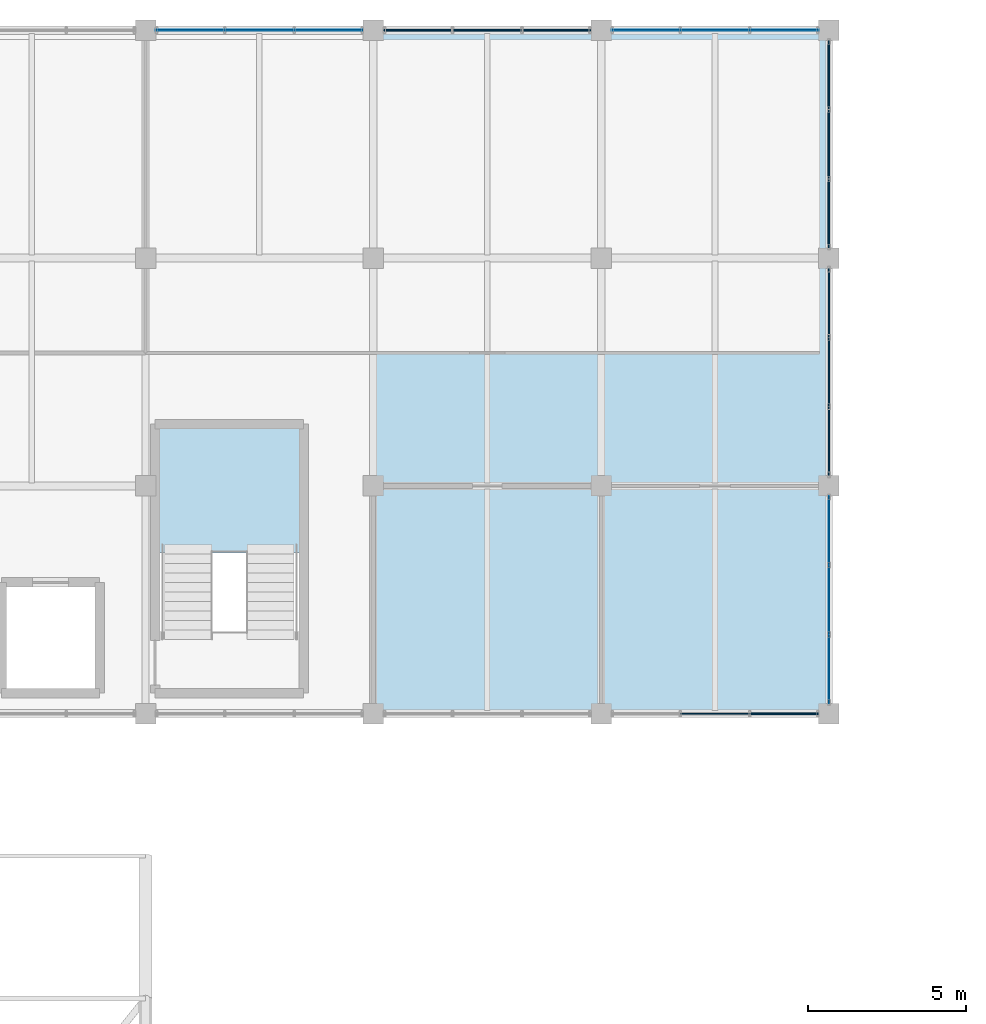
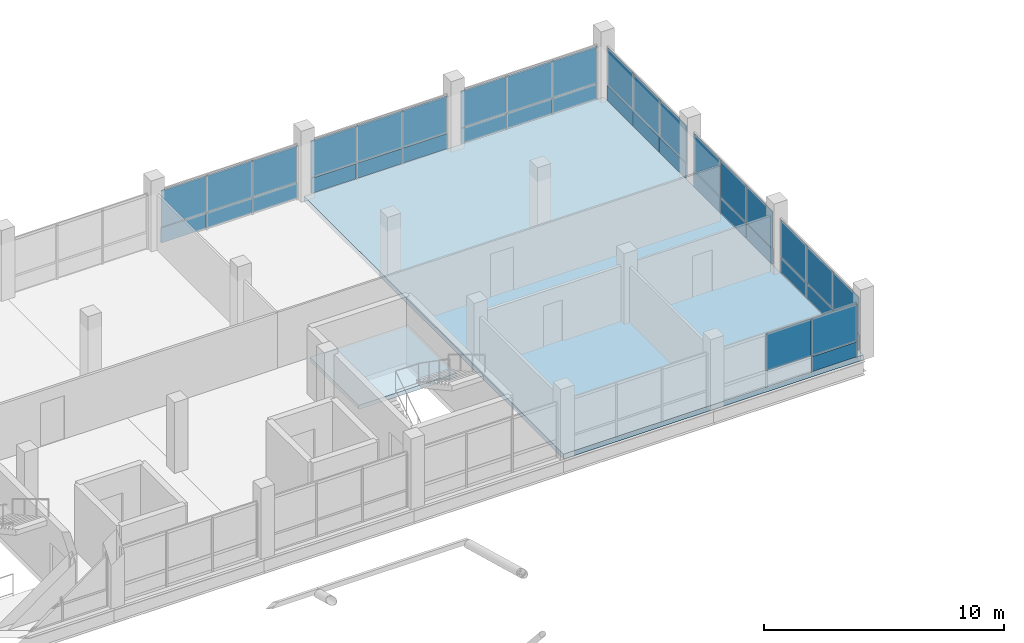
# One storey, part 52 of 96: 39 plates, 2 slabs, 8 elements without a shape of their own.
"""IFC4 building model written with IfcOpenShell, lengths in metres."""

from ifc_helpers import new_model, si_unit, direction, frame, origin, origin_2d, place, context, subcontext, project, spatial, polyline, rectangle, outline, extrude, material, layer, layer_set, type_object, element, aggregate, save


model = new_model("IFC4")

# Units and contexts
model_context = context("Model", 3, precision=1e-05, world=origin(), true_north=direction((0.0, 1.0)))
body_context = subcontext(model_context, "Body", "Model", "MODEL_VIEW")
ifc_project = project(units=[si_unit("LENGTHUNIT", "METRE"), si_unit("AREAUNIT", "SQUARE_METRE"), si_unit("VOLUMEUNIT", "CUBIC_METRE"), si_unit("PLANEANGLEUNIT", "RADIAN"), si_unit("MASSUNIT", "GRAM", prefix="KILO")], contexts=[model_context])

# Site, building, storey
site_placement = place(None, origin())
site = spatial("IfcSite", under=ifc_project, at=site_placement, CompositionType="ELEMENT")
building_placement = place(site_placement, origin())
building = spatial("IfcBuilding", under=site, at=building_placement, Name="Yarey Park Central Fire Station", CompositionType="ELEMENT")
storey_placement = place(building_placement, frame((0.0, 0.0, 14.39990234375)))
storey = spatial("IfcBuildingStorey", under=building, at=storey_placement, Name="L04", CompositionType="ELEMENT", Elevation=14.39990234375)

# Curtain wall, plates
ifc_material_1 = material(Name="Anodized Aluminium Frame", Category="aluminium")
curtain_wall_type = type_object("IfcCurtainWallType", Name="ENV_CW_HQ_L04", PredefinedType="NOTDEFINED", material=ifc_material_1)
curtain_wall_1_placement = place(storey_placement, origin())
curtain_wall_1 = element("IfcCurtainWall", 1, at=curtain_wall_1_placement, inside=storey, type_object=curtain_wall_type, Name="CW_L04_V4_N_4", PredefinedType="NOTDEFINED")
ifc_material_2 = material(Name="Insulated Aluminium Spandrel Panel", Category="aluminium")
ifc_layer_1 = layer(ifc_material_2, 0.055908203125)
ifc_layer_set_1 = layer_set([ifc_layer_1], Name="Insulated Aluminium Spandrel Panel")
plate_type_1 = type_object("IfcPlateType", Name="ENV_PNL_SPN_01", PredefinedType="CURTAIN_PANEL", material=ifc_layer_set_1)
plate_1_placement = place(storey_placement, frame((142.59326171875, 115.199951171875, 0.04248046875), z_axis=(0.0, 0.0, 1.0), x_axis=(-1.0, 0.0, 0.0)))
plate_1 = element("IfcPlate", 2, at=plate_1_placement, type_object=plate_type_1, Name="CW_L04_V4_N_4_PNL01", PredefinedType="CURTAIN_PANEL", context=body_context, shape_type="SweptSolid", body=[
    extrude(rectangle(XDim=2.1533203125, YDim=0.055908203125, at=origin_2d()), origin(), (0.0, 0.0, 1.0), 0.764892578125),
])
plate_2_placement = place(storey_placement, frame((140.39990234375, 115.199951171875, 0.04248046875), z_axis=(0.0, 0.0, 1.0), x_axis=(-1.0, 0.0, 0.0)))
plate_2 = element("IfcPlate", 3, at=plate_2_placement, type_object=plate_type_1, Name="CW_L04_V4_N_4_PNL03", PredefinedType="CURTAIN_PANEL", context=body_context, shape_type="SweptSolid", body=[
    extrude(rectangle(XDim=2.1533203125, YDim=0.055908203125, at=origin_2d()), origin(), (0.0, 0.0, 1.0), 0.764892578125),
])
plate_3_placement = place(storey_placement, frame((138.206787109375, 115.199951171875, 0.04248046875), z_axis=(0.0, 0.0, 1.0), x_axis=(-1.0, 0.0, 0.0)))
plate_3 = element("IfcPlate", 4, at=plate_3_placement, type_object=plate_type_1, Name="CW_L04_V4_N_4_PNL05", PredefinedType="CURTAIN_PANEL", context=body_context, shape_type="SweptSolid", body=[
    extrude(rectangle(XDim=2.1533203125, YDim=0.055908203125, at=origin_2d()), origin(), (0.0, 0.0, 1.0), 0.764892578125),
])

curtain_wall_2_placement = place(storey_placement, origin())
curtain_wall_2 = element("IfcCurtainWall", 5, at=curtain_wall_2_placement, inside=storey, type_object=curtain_wall_type, Name="CW_L04_V4_N_6", PredefinedType="NOTDEFINED")
plate_4_placement = place(storey_placement, frame((156.993408203125, 115.199951171875, 0.04248046875), z_axis=(0.0, 0.0, 1.0), x_axis=(-1.0, 0.0, 0.0)))
plate_4 = element("IfcPlate", 6, at=plate_4_placement, type_object=plate_type_1, Name="CW_L04_V4_N_6_PNL01", PredefinedType="CURTAIN_PANEL", context=body_context, shape_type="SweptSolid", body=[
    extrude(rectangle(XDim=2.1533203125, YDim=0.055908203125, at=origin_2d()), origin(), (0.0, 0.0, 1.0), 0.764892578125),
])
plate_5_placement = place(storey_placement, frame((154.800048828125, 115.199951171875, 0.04248046875), z_axis=(0.0, 0.0, 1.0), x_axis=(-1.0, 0.0, 0.0)))
plate_5 = element("IfcPlate", 7, at=plate_5_placement, type_object=plate_type_1, Name="CW_L04_V4_N_6_PNL03", PredefinedType="CURTAIN_PANEL", context=body_context, shape_type="SweptSolid", body=[
    extrude(rectangle(XDim=2.1533203125, YDim=0.055908203125, at=origin_2d()), origin(), (0.0, 0.0, 1.0), 0.764892578125),
])
plate_6_placement = place(storey_placement, frame((152.606689453125, 115.199951171875, 0.04248046875), z_axis=(0.0, 0.0, 1.0), x_axis=(-1.0, 0.0, 0.0)))
plate_6 = element("IfcPlate", 8, at=plate_6_placement, type_object=plate_type_1, Name="CW_L04_V4_N_6_PNL05", PredefinedType="CURTAIN_PANEL", context=body_context, shape_type="SweptSolid", body=[
    extrude(rectangle(XDim=2.1533203125, YDim=0.055908203125, at=origin_2d()), origin(), (0.0, 0.0, 1.0), 0.764892578125),
])

curtain_wall_3_placement = place(storey_placement, origin())
curtain_wall_3 = element("IfcCurtainWall", 9, at=curtain_wall_3_placement, inside=storey, type_object=curtain_wall_type, Name="CW_L04_V4_E_93", PredefinedType="NOTDEFINED")
plate_7_placement = place(storey_placement, frame((158.39990234375, 95.006591796875, 0.04248046875), z_axis=(0.0, 0.0, 1.0), x_axis=(0.0, 1.0, 0.0)))
plate_7 = element("IfcPlate", 10, at=plate_7_placement, type_object=plate_type_1, Name="CW_L04_V4_E_93_PNL01", PredefinedType="CURTAIN_PANEL", context=body_context, shape_type="SweptSolid", body=[
    extrude(rectangle(XDim=2.1533203125, YDim=0.055908203125, at=origin_2d()), origin(), (0.0, 0.0, 1.0), 0.764892578125),
])
plate_8_placement = place(storey_placement, frame((158.39990234375, 97.199951171875, 0.04248046875), z_axis=(0.0, 0.0, 1.0), x_axis=(0.0, 1.0, 0.0)))
plate_8 = element("IfcPlate", 11, at=plate_8_placement, type_object=plate_type_1, Name="CW_L04_V4_E_93_PNL03", PredefinedType="CURTAIN_PANEL", context=body_context, shape_type="SweptSolid", body=[
    extrude(rectangle(XDim=2.1533203125, YDim=0.055908203125, at=origin_2d()), origin(), (0.0, 0.0, 1.0), 0.764892578125),
])
plate_9_placement = place(storey_placement, frame((158.39990234375, 99.393310546875, 0.04248046875), z_axis=(0.0, 0.0, 1.0), x_axis=(0.0, 1.0, 0.0)))
plate_9 = element("IfcPlate", 12, at=plate_9_placement, type_object=plate_type_1, Name="CW_L04_V4_E_93_PNL05", PredefinedType="CURTAIN_PANEL", context=body_context, shape_type="SweptSolid", body=[
    extrude(rectangle(XDim=2.1533203125, YDim=0.055908203125, at=origin_2d()), origin(), (0.0, 0.0, 1.0), 0.764892578125),
])

# Curtain wall, plate
curtain_wall_4_placement = place(storey_placement, origin())
curtain_wall_4 = element("IfcCurtainWall", 13, at=curtain_wall_4_placement, inside=storey, type_object=curtain_wall_type, Name="CW_L04_V4_S_6", PredefinedType="NOTDEFINED")
ifc_layer_2 = layer(ifc_material_2, 0.068115234375)
ifc_layer_set_2 = layer_set([ifc_layer_2], Name="Insulated Aluminium Spandrel Panel")
plate_type_2 = type_object("IfcPlateType", Name="ENV_PNL_SPN_02", PredefinedType="CURTAIN_PANEL", material=ifc_layer_set_2)
plate_10_placement = place(storey_placement, frame((156.993408203125, 93.60009765625, 0.04248046875), z_axis=(0.0, 0.0, 1.0), x_axis=(1.0, 0.0, 0.0)))
plate_10 = element("IfcPlate", 14, at=plate_10_placement, type_object=plate_type_2, Name="CW_L04_V4_S_6_PNL05", PredefinedType="CURTAIN_PANEL", context=body_context, shape_type="SweptSolid", body=[
    extrude(rectangle(XDim=2.1533203125, YDim=0.068115234375, at=origin_2d()), origin(), (0.0, 0.0, 1.0), 0.764892578125),
])

# Curtain wall, plates
curtain_wall_5_placement = place(storey_placement, origin())
curtain_wall_5 = element("IfcCurtainWall", 15, at=curtain_wall_5_placement, inside=storey, type_object=curtain_wall_type, Name="CW_L04_V4_E_100", PredefinedType="NOTDEFINED")
plate_11_placement = place(storey_placement, frame((158.39990234375, 102.206787109375, 0.04248046875), z_axis=(0.0, 0.0, 1.0), x_axis=(0.0, 1.0, 0.0)))
plate_11 = element("IfcPlate", 16, at=plate_11_placement, type_object=plate_type_2, Name="CW_L04_V4_E_100_PNL01", PredefinedType="CURTAIN_PANEL", context=body_context, shape_type="SweptSolid", body=[
    extrude(rectangle(XDim=2.1533203125, YDim=0.068115234375, at=origin_2d()), origin(), (0.0, 0.0, 1.0), 0.764892578125),
])
plate_12_placement = place(storey_placement, frame((158.39990234375, 104.39990234375, 0.04248046875), z_axis=(0.0, 0.0, 1.0), x_axis=(0.0, 1.0, 0.0)))
plate_12 = element("IfcPlate", 17, at=plate_12_placement, type_object=plate_type_2, Name="CW_L04_V4_E_100_PNL03", PredefinedType="CURTAIN_PANEL", context=body_context, shape_type="SweptSolid", body=[
    extrude(rectangle(XDim=2.1533203125, YDim=0.068115234375, at=origin_2d()), origin(), (0.0, 0.0, 1.0), 0.764892578125),
])
plate_13_placement = place(storey_placement, frame((158.39990234375, 106.59326171875, 0.04248046875), z_axis=(0.0, 0.0, 1.0), x_axis=(0.0, 1.0, 0.0)))
plate_13 = element("IfcPlate", 18, at=plate_13_placement, type_object=plate_type_2, Name="CW_L04_V4_E_100_PNL05", PredefinedType="CURTAIN_PANEL", context=body_context, shape_type="SweptSolid", body=[
    extrude(rectangle(XDim=2.1533203125, YDim=0.068115234375, at=origin_2d()), origin(), (0.0, 0.0, 1.0), 0.764892578125),
])

curtain_wall_6_placement = place(storey_placement, origin())
curtain_wall_6 = element("IfcCurtainWall", 19, at=curtain_wall_6_placement, inside=storey, type_object=curtain_wall_type, Name="CW_L04_V4_N_5", PredefinedType="NOTDEFINED")
ifc_layer_3 = layer(ifc_material_2, 0.077880859375)
ifc_layer_set_3 = layer_set([ifc_layer_3], Name="Insulated Aluminium Spandrel Panel")
plate_type_3 = type_object("IfcPlateType", Name="ENV_PNL_SPN_03", PredefinedType="CURTAIN_PANEL", material=ifc_layer_set_3)
plate_14_placement = place(storey_placement, frame((149.793212890625, 115.199951171875, 0.04248046875), z_axis=(0.0, 0.0, 1.0), x_axis=(-1.0, 0.0, 0.0)))
plate_14 = element("IfcPlate", 20, at=plate_14_placement, type_object=plate_type_3, Name="CW_L04_V4_N_5_PNL01", PredefinedType="CURTAIN_PANEL", context=body_context, shape_type="SweptSolid", body=[
    extrude(rectangle(XDim=2.1533203125, YDim=0.077880859375, at=origin_2d()), origin(), (0.0, 0.0, 1.0), 0.764892578125),
])
plate_15_placement = place(storey_placement, frame((147.60009765625, 115.199951171875, 0.04248046875), z_axis=(0.0, 0.0, 1.0), x_axis=(-1.0, 0.0, 0.0)))
plate_15 = element("IfcPlate", 21, at=plate_15_placement, type_object=plate_type_3, Name="CW_L04_V4_N_5_PNL03", PredefinedType="CURTAIN_PANEL", context=body_context, shape_type="SweptSolid", body=[
    extrude(rectangle(XDim=2.1533203125, YDim=0.077880859375, at=origin_2d()), origin(), (0.0, 0.0, 1.0), 0.764892578125),
])
plate_16_placement = place(storey_placement, frame((145.40673828125, 115.199951171875, 0.04248046875), z_axis=(0.0, 0.0, 1.0), x_axis=(-1.0, 0.0, 0.0)))
plate_16 = element("IfcPlate", 22, at=plate_16_placement, type_object=plate_type_3, Name="CW_L04_V4_N_5_PNL05", PredefinedType="CURTAIN_PANEL", context=body_context, shape_type="SweptSolid", body=[
    extrude(rectangle(XDim=2.1533203125, YDim=0.077880859375, at=origin_2d()), origin(), (0.0, 0.0, 1.0), 0.764892578125),
])

curtain_wall_7_placement = place(storey_placement, origin())
curtain_wall_7 = element("IfcCurtainWall", 23, at=curtain_wall_7_placement, inside=storey, type_object=curtain_wall_type, Name="CW_L04_V4_E_108", PredefinedType="NOTDEFINED")
plate_17_placement = place(storey_placement, frame((158.39990234375, 109.40673828125, 0.04248046875), z_axis=(0.0, 0.0, 1.0), x_axis=(0.0, 1.0, 0.0)))
plate_17 = element("IfcPlate", 24, at=plate_17_placement, type_object=plate_type_3, Name="CW_L04_V4_E_108_PNL01", PredefinedType="CURTAIN_PANEL", context=body_context, shape_type="SweptSolid", body=[
    extrude(rectangle(XDim=2.1533203125, YDim=0.077880859375, at=origin_2d()), origin(), (0.0, 0.0, 1.0), 0.764892578125),
])
plate_18_placement = place(storey_placement, frame((158.39990234375, 111.60009765625, 0.04248046875), z_axis=(0.0, 0.0, 1.0), x_axis=(0.0, 1.0, 0.0)))
plate_18 = element("IfcPlate", 25, at=plate_18_placement, type_object=plate_type_3, Name="CW_L04_V4_E_108_PNL03", PredefinedType="CURTAIN_PANEL", context=body_context, shape_type="SweptSolid", body=[
    extrude(rectangle(XDim=2.1533203125, YDim=0.077880859375, at=origin_2d()), origin(), (0.0, 0.0, 1.0), 0.764892578125),
])
plate_19_placement = place(storey_placement, frame((158.39990234375, 113.793212890625, 0.04248046875), z_axis=(0.0, 0.0, 1.0), x_axis=(0.0, 1.0, 0.0)))
plate_19 = element("IfcPlate", 26, at=plate_19_placement, type_object=plate_type_3, Name="CW_L04_V4_E_108_PNL05", PredefinedType="CURTAIN_PANEL", context=body_context, shape_type="SweptSolid", body=[
    extrude(rectangle(XDim=2.1533203125, YDim=0.077880859375, at=origin_2d()), origin(), (0.0, 0.0, 1.0), 0.764892578125),
])

# Plate
ifc_material_3 = material(Name="Laminated Hurricane Low-E Glass", Category="glass")
ifc_layer_4 = layer(ifc_material_3, 0.02392578125)
ifc_layer_set_4 = layer_set([ifc_layer_4], Name="Laminated Hurricane Low-E Glass")
plate_type_4 = type_object("IfcPlateType", Name="ENV_PNL_VIS_01", PredefinedType="CURTAIN_PANEL", material=ifc_layer_set_4)
plate_20_placement = place(storey_placement, frame((142.59326171875, 115.199951171875, 0.8427734375), z_axis=(0.0, 0.0, 1.0), x_axis=(-1.0, 0.0, 0.0)))
plate_20 = element("IfcPlate", 27, at=plate_20_placement, type_object=plate_type_4, Name="CW_L04_V4_N_4_PNL02", PredefinedType="CURTAIN_PANEL", context=body_context, shape_type="SweptSolid", body=[
    extrude(rectangle(XDim=2.1533203125, YDim=0.02392578125, at=origin_2d()), origin(), (0.0, 0.0, 1.0), 1.864990234375),
])

plate_21_placement = place(storey_placement, frame((140.39990234375, 115.199951171875, 0.8427734375), z_axis=(0.0, 0.0, 1.0), x_axis=(-1.0, 0.0, 0.0)))
plate_21 = element("IfcPlate", 28, at=plate_21_placement, type_object=plate_type_4, Name="CW_L04_V4_N_4_PNL04", PredefinedType="CURTAIN_PANEL", context=body_context, shape_type="SweptSolid", body=[
    extrude(rectangle(XDim=2.1533203125, YDim=0.02392578125, at=origin_2d()), origin(), (0.0, 0.0, 1.0), 1.864990234375),
])

plate_22_placement = place(storey_placement, frame((138.206787109375, 115.199951171875, 0.8427734375), z_axis=(0.0, 0.0, 1.0), x_axis=(-1.0, 0.0, 0.0)))
plate_22 = element("IfcPlate", 29, at=plate_22_placement, type_object=plate_type_4, Name="CW_L04_V4_N_4_PNL06", PredefinedType="CURTAIN_PANEL", context=body_context, shape_type="SweptSolid", body=[
    extrude(rectangle(XDim=2.1533203125, YDim=0.02392578125, at=origin_2d()), origin(), (0.0, 0.0, 1.0), 1.864990234375),
])

aggregate(curtain_wall_1, [plate_1, plate_20, plate_2, plate_21, plate_3, plate_22])

plate_23_placement = place(storey_placement, frame((156.993408203125, 115.199951171875, 0.8427734375), z_axis=(0.0, 0.0, 1.0), x_axis=(-1.0, 0.0, 0.0)))
plate_23 = element("IfcPlate", 30, at=plate_23_placement, type_object=plate_type_4, Name="CW_L04_V4_N_6_PNL02", PredefinedType="CURTAIN_PANEL", context=body_context, shape_type="SweptSolid", body=[
    extrude(rectangle(XDim=2.1533203125, YDim=0.02392578125, at=origin_2d()), origin(), (0.0, 0.0, 1.0), 1.864990234375),
])

plate_24_placement = place(storey_placement, frame((154.800048828125, 115.199951171875, 0.8427734375), z_axis=(0.0, 0.0, 1.0), x_axis=(-1.0, 0.0, 0.0)))
plate_24 = element("IfcPlate", 31, at=plate_24_placement, type_object=plate_type_4, Name="CW_L04_V4_N_6_PNL04", PredefinedType="CURTAIN_PANEL", context=body_context, shape_type="SweptSolid", body=[
    extrude(rectangle(XDim=2.1533203125, YDim=0.02392578125, at=origin_2d()), origin(), (0.0, 0.0, 1.0), 1.864990234375),
])

plate_25_placement = place(storey_placement, frame((152.606689453125, 115.199951171875, 0.8427734375), z_axis=(0.0, 0.0, 1.0), x_axis=(-1.0, 0.0, 0.0)))
plate_25 = element("IfcPlate", 32, at=plate_25_placement, type_object=plate_type_4, Name="CW_L04_V4_N_6_PNL06", PredefinedType="CURTAIN_PANEL", context=body_context, shape_type="SweptSolid", body=[
    extrude(rectangle(XDim=2.1533203125, YDim=0.02392578125, at=origin_2d()), origin(), (0.0, 0.0, 1.0), 1.864990234375),
])

aggregate(curtain_wall_2, [plate_4, plate_23, plate_5, plate_24, plate_6, plate_25])

plate_26_placement = place(storey_placement, frame((158.39990234375, 95.006591796875, 0.8427734375), z_axis=(0.0, 0.0, 1.0), x_axis=(0.0, 1.0, 0.0)))
plate_26 = element("IfcPlate", 33, at=plate_26_placement, type_object=plate_type_4, Name="CW_L04_V4_E_93_PNL02", PredefinedType="CURTAIN_PANEL", context=body_context, shape_type="SweptSolid", body=[
    extrude(rectangle(XDim=2.1533203125, YDim=0.02392578125, at=origin_2d()), origin(), (0.0, 0.0, 1.0), 1.864990234375),
])

plate_27_placement = place(storey_placement, frame((158.39990234375, 97.199951171875, 0.8427734375), z_axis=(0.0, 0.0, 1.0), x_axis=(0.0, 1.0, 0.0)))
plate_27 = element("IfcPlate", 34, at=plate_27_placement, type_object=plate_type_4, Name="CW_L04_V4_E_93_PNL04", PredefinedType="CURTAIN_PANEL", context=body_context, shape_type="SweptSolid", body=[
    extrude(rectangle(XDim=2.1533203125, YDim=0.02392578125, at=origin_2d()), origin(), (0.0, 0.0, 1.0), 1.864990234375),
])

plate_28_placement = place(storey_placement, frame((158.39990234375, 99.393310546875, 0.8427734375), z_axis=(0.0, 0.0, 1.0), x_axis=(0.0, 1.0, 0.0)))
plate_28 = element("IfcPlate", 35, at=plate_28_placement, type_object=plate_type_4, Name="CW_L04_V4_E_93_PNL06", PredefinedType="CURTAIN_PANEL", context=body_context, shape_type="SweptSolid", body=[
    extrude(rectangle(XDim=2.1533203125, YDim=0.02392578125, at=origin_2d()), origin(), (0.0, 0.0, 1.0), 1.864990234375),
])

aggregate(curtain_wall_3, [plate_7, plate_26, plate_8, plate_27, plate_9, plate_28])

ifc_layer_5 = layer(ifc_material_3, 0.031982421875)
ifc_layer_set_5 = layer_set([ifc_layer_5], Name="Laminated Hurricane Low-E Glass")
plate_type_5 = type_object("IfcPlateType", Name="ENV_PNL_VIS_02", PredefinedType="CURTAIN_PANEL", material=ifc_layer_set_5)
plate_29_placement = place(storey_placement, frame((154.800048828125, 93.60009765625, 0.8427734375), z_axis=(0.0, 0.0, 1.0), x_axis=(1.0, 0.0, 0.0)))
plate_29 = element("IfcPlate", 36, at=plate_29_placement, type_object=plate_type_5, Name="CW_L04_V4_S_6_PNL04", PredefinedType="CURTAIN_PANEL", context=body_context, shape_type="SweptSolid", body=[
    extrude(rectangle(XDim=2.1533203125, YDim=0.031982421875, at=origin_2d()), origin(), (0.0, 0.0, 1.0), 1.864990234375),
])

plate_30_placement = place(storey_placement, frame((156.993408203125, 93.60009765625, 0.8427734375), z_axis=(0.0, 0.0, 1.0), x_axis=(1.0, 0.0, 0.0)))
plate_30 = element("IfcPlate", 37, at=plate_30_placement, type_object=plate_type_5, Name="CW_L04_V4_S_6_PNL06", PredefinedType="CURTAIN_PANEL", context=body_context, shape_type="SweptSolid", body=[
    extrude(rectangle(XDim=2.1533203125, YDim=0.031982421875, at=origin_2d()), origin(), (0.0, 0.0, 1.0), 1.864990234375),
])

aggregate(curtain_wall_4, [plate_29, plate_10, plate_30])

plate_31_placement = place(storey_placement, frame((158.39990234375, 102.206787109375, 0.8427734375), z_axis=(0.0, 0.0, 1.0), x_axis=(0.0, 1.0, 0.0)))
plate_31 = element("IfcPlate", 38, at=plate_31_placement, type_object=plate_type_5, Name="CW_L04_V4_E_100_PNL02", PredefinedType="CURTAIN_PANEL", context=body_context, shape_type="SweptSolid", body=[
    extrude(rectangle(XDim=2.1533203125, YDim=0.031982421875, at=origin_2d()), origin(), (0.0, 0.0, 1.0), 1.864990234375),
])

plate_32_placement = place(storey_placement, frame((158.39990234375, 104.39990234375, 0.8427734375), z_axis=(0.0, 0.0, 1.0), x_axis=(0.0, 1.0, 0.0)))
plate_32 = element("IfcPlate", 39, at=plate_32_placement, type_object=plate_type_5, Name="CW_L04_V4_E_100_PNL04", PredefinedType="CURTAIN_PANEL", context=body_context, shape_type="SweptSolid", body=[
    extrude(rectangle(XDim=2.1533203125, YDim=0.031982421875, at=origin_2d()), origin(), (0.0, 0.0, 1.0), 1.864990234375),
])

plate_33_placement = place(storey_placement, frame((158.39990234375, 106.59326171875, 0.8427734375), z_axis=(0.0, 0.0, 1.0), x_axis=(0.0, 1.0, 0.0)))
plate_33 = element("IfcPlate", 40, at=plate_33_placement, type_object=plate_type_5, Name="CW_L04_V4_E_100_PNL06", PredefinedType="CURTAIN_PANEL", context=body_context, shape_type="SweptSolid", body=[
    extrude(rectangle(XDim=2.1533203125, YDim=0.031982421875, at=origin_2d()), origin(), (0.0, 0.0, 1.0), 1.864990234375),
])

aggregate(curtain_wall_5, [plate_11, plate_31, plate_12, plate_32, plate_13, plate_33])

ifc_layer_6 = layer(ifc_material_3, 0.0380859375)
ifc_layer_set_6 = layer_set([ifc_layer_6], Name="Laminated Hurricane Low-E Glass")
plate_type_6 = type_object("IfcPlateType", Name="ENV_PNL_VIS_03", PredefinedType="CURTAIN_PANEL", material=ifc_layer_set_6)
plate_34_placement = place(storey_placement, frame((149.793212890625, 115.199951171875, 0.8427734375), z_axis=(0.0, 0.0, 1.0), x_axis=(-1.0, 0.0, 0.0)))
plate_34 = element("IfcPlate", 41, at=plate_34_placement, type_object=plate_type_6, Name="CW_L04_V4_N_5_PNL02", PredefinedType="CURTAIN_PANEL", context=body_context, shape_type="SweptSolid", body=[
    extrude(rectangle(XDim=2.1533203125, YDim=0.0380859375, at=origin_2d()), origin(), (0.0, 0.0, 1.0), 1.864990234375),
])

plate_35_placement = place(storey_placement, frame((147.60009765625, 115.199951171875, 0.8427734375), z_axis=(0.0, 0.0, 1.0), x_axis=(-1.0, 0.0, 0.0)))
plate_35 = element("IfcPlate", 42, at=plate_35_placement, type_object=plate_type_6, Name="CW_L04_V4_N_5_PNL04", PredefinedType="CURTAIN_PANEL", context=body_context, shape_type="SweptSolid", body=[
    extrude(rectangle(XDim=2.1533203125, YDim=0.0380859375, at=origin_2d()), origin(), (0.0, 0.0, 1.0), 1.864990234375),
])

plate_36_placement = place(storey_placement, frame((145.40673828125, 115.199951171875, 0.8427734375), z_axis=(0.0, 0.0, 1.0), x_axis=(-1.0, 0.0, 0.0)))
plate_36 = element("IfcPlate", 43, at=plate_36_placement, type_object=plate_type_6, Name="CW_L04_V4_N_5_PNL06", PredefinedType="CURTAIN_PANEL", context=body_context, shape_type="SweptSolid", body=[
    extrude(rectangle(XDim=2.1533203125, YDim=0.0380859375, at=origin_2d()), origin(), (0.0, 0.0, 1.0), 1.864990234375),
])

aggregate(curtain_wall_6, [plate_14, plate_34, plate_15, plate_35, plate_16, plate_36])

plate_37_placement = place(storey_placement, frame((158.39990234375, 109.40673828125, 0.8427734375), z_axis=(0.0, 0.0, 1.0), x_axis=(0.0, 1.0, 0.0)))
plate_37 = element("IfcPlate", 44, at=plate_37_placement, type_object=plate_type_6, Name="CW_L04_V4_E_108_PNL02", PredefinedType="CURTAIN_PANEL", context=body_context, shape_type="SweptSolid", body=[
    extrude(rectangle(XDim=2.1533203125, YDim=0.0380859375, at=origin_2d()), origin(), (0.0, 0.0, 1.0), 1.864990234375),
])

plate_38_placement = place(storey_placement, frame((158.39990234375, 111.60009765625, 0.8427734375), z_axis=(0.0, 0.0, 1.0), x_axis=(0.0, 1.0, 0.0)))
plate_38 = element("IfcPlate", 45, at=plate_38_placement, type_object=plate_type_6, Name="CW_L04_V4_E_108_PNL04", PredefinedType="CURTAIN_PANEL", context=body_context, shape_type="SweptSolid", body=[
    extrude(rectangle(XDim=2.1533203125, YDim=0.0380859375, at=origin_2d()), origin(), (0.0, 0.0, 1.0), 1.864990234375),
])

plate_39_placement = place(storey_placement, frame((158.39990234375, 113.793212890625, 0.8427734375), z_axis=(0.0, 0.0, 1.0), x_axis=(0.0, 1.0, 0.0)))
plate_39 = element("IfcPlate", 46, at=plate_39_placement, type_object=plate_type_6, Name="CW_L04_V4_E_108_PNL06", PredefinedType="CURTAIN_PANEL", context=body_context, shape_type="SweptSolid", body=[
    extrude(rectangle(XDim=2.1533203125, YDim=0.0380859375, at=origin_2d()), origin(), (0.0, 0.0, 1.0), 1.864990234375),
])

aggregate(curtain_wall_7, [plate_17, plate_37, plate_18, plate_38, plate_19, plate_39])

# Stair, slab
ifc_material_4 = material(Name="Concrete C40/50", Category="concrete")
stair_type = type_object("IfcStairType", Name="INT_ST_2RUN_150_H36", PredefinedType="USERDEFINED", material=ifc_material_4)
stair_placement = place(storey_placement, origin())
stair = element("IfcStair", 47, at=stair_placement, inside=storey, type_object=stair_type, Name="Exit Stair ST-2 L04", ObjectType="TWO_RUN_STAIR", PredefinedType="USERDEFINED")
ifc_layer_7 = layer(ifc_material_4, 0.205078125)
ifc_layer_set_7 = layer_set([ifc_layer_7], Name="Concrete C40/50")
slab_type_1 = type_object("IfcSlabType", Name="INT_SLAB_LND205", PredefinedType="LANDING", material=ifc_layer_set_7)
slab_1_placement = place(storey_placement, frame((0.0, 0.0, 1.59521484375)))
slab_1 = element("IfcSlab", 48, at=slab_1_placement, type_object=slab_type_1, Name="STAIR_C2_L04_LND", PredefinedType="LANDING", context=body_context, shape_type="SweptSolid", body=[
    extrude(outline(polyline([(137.10009765625, 98.699951171875), (141.800048828125, 98.699951171875), (141.800048828125, 102.75), (137.10009765625, 102.75), (137.10009765625, 98.699951171875)])), origin(), (0.0, 0.0, 1.0), 0.204833984375),
])
aggregate(stair, [slab_1])

# Slab
ifc_layer_8 = layer(ifc_material_4, 0.25)
ifc_layer_set_8 = layer_set([ifc_layer_8], Name="Concrete C40/50")
slab_type_2 = type_object("IfcSlabType", Name="STR_SLAB_F250", PredefinedType="FLOOR", material=ifc_layer_set_8)
slab_2_placement = place(storey_placement, frame((0.0, 0.0, -0.25)))
element("IfcSlab", 49, at=slab_2_placement, inside=storey, type_object=slab_type_2, Name="SLAB_L04_V4_3", PredefinedType="FLOOR", context=body_context, shape_type="SweptSolid", body=[
    extrude(outline(polyline([(144.0, 93.60009765625), (158.39990234375, 93.60009765625), (158.39990234375, 115.199951171875), (144.0, 115.199951171875), (144.0, 93.60009765625)])), origin(), (0.0, 0.0, 1.0), 0.25),
])

save(model, "model.ifc")
